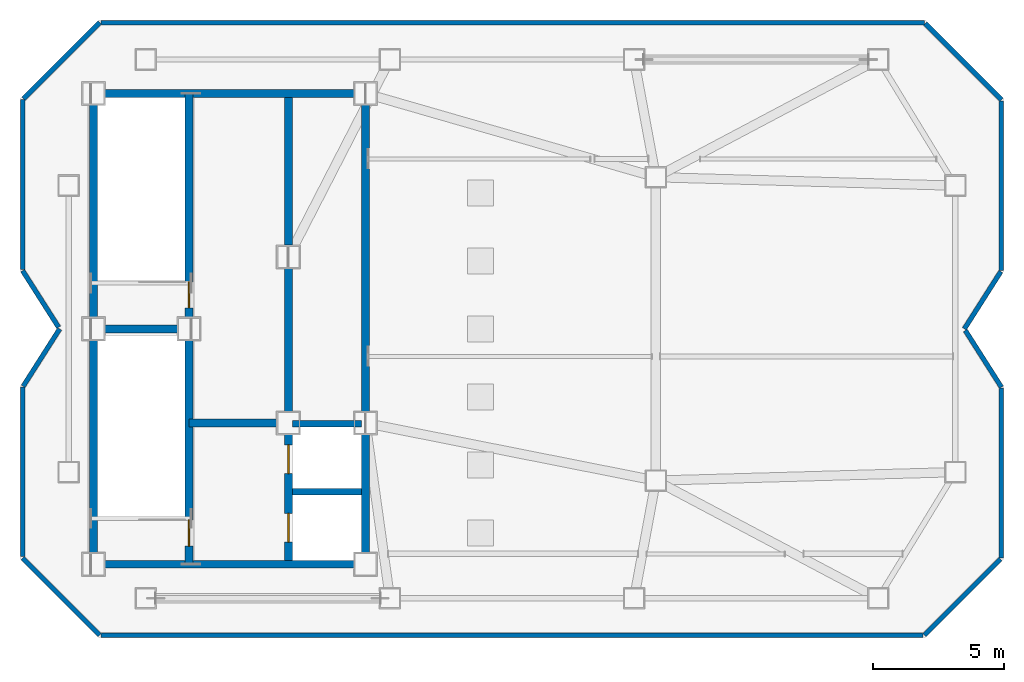
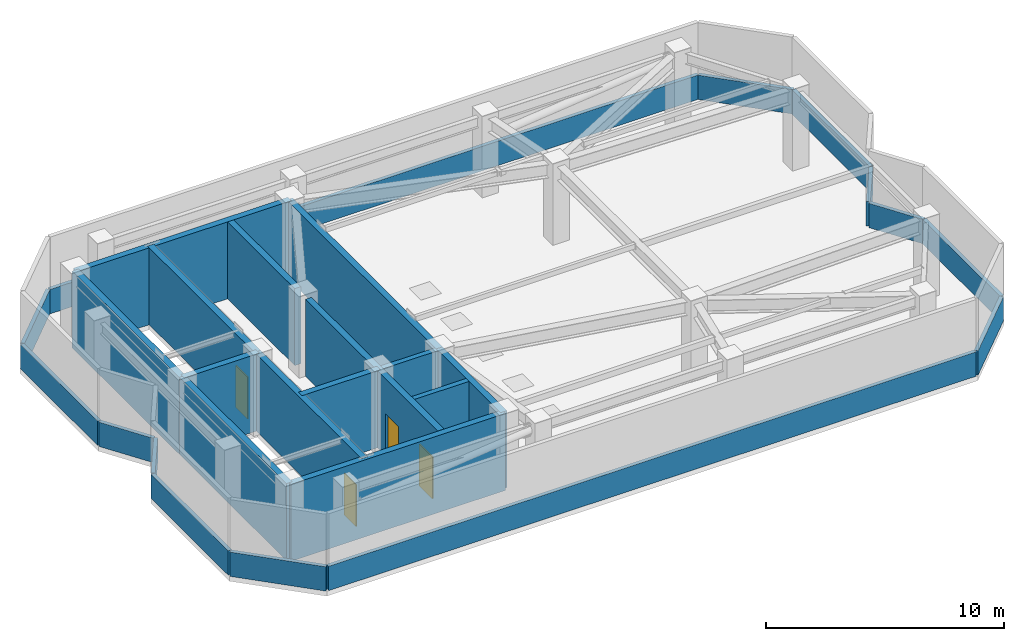
# One storey, part 6 of 7: 28 walls, 4 doors, 4 openings.
"""IFC4 building model written with IfcOpenShell, lengths in metres."""

import ifcopenshell
import ifcopenshell.guid

model = None  # the IFC model being written
_history = None  # IfcOwnerHistory: only IFC2X3 demands one
_inside = {}  # id of a spatial element -> (the spatial element, [elements in it])
_under = {}  # id of a project, library or spatial element -> (it, [spatial elements below it])
_declared = {}  # id of a project -> (the project, [libraries it declares])
_typed = {}  # id of a type object -> (the type object, [elements of that type])
_made_of = {}  # id of a material, layer set ... -> (it, [elements and type objects made of it])


def new_model(schema):
    """Start an empty IFC model of exactly this schema.

    Asked for "IFC4X3", IfcOpenShell would pick the latest addendum, in which some entities
    have other attributes; the version numbers below select the first issue.
    IFC2X3 requires an IfcOwnerHistory on every rooted entity: one is made here for all.
    """
    global model, _history
    if schema == "IFC4X3":
        model = ifcopenshell.file(schema_version=(4, 3, 0, 0))
    else:
        model = ifcopenshell.file(schema=schema)
    _inside.clear()
    _under.clear()
    _declared.clear()
    _typed.clear()
    _made_of.clear()
    _history = None
    if model.schema == "IFC2X3":
        org = make("IfcOrganization", Name="unknown")
        user = make(
            "IfcPersonAndOrganization",
            ThePerson=make("IfcPerson", FamilyName="unknown"),
            TheOrganization=org,
        )
        app = make(
            "IfcApplication",
            ApplicationDeveloper=org,
            Version="unknown",
            ApplicationFullName="unknown",
            ApplicationIdentifier="unknown",
        )
        _history = make(
            "IfcOwnerHistory",
            OwningUser=user,
            OwningApplication=app,
            ChangeAction="ADDED",
            CreationDate=0,
        )
    return model


def make(cls, **values):
    """One entity of the class cls with the attributes given. An attribute that is None is left unset."""
    return model.create_entity(
        cls, **{name: value for name, value in values.items() if value is not None}
    )


def rooted(cls, **values):
    """An entity with a GlobalId (a new one), such as an element, a storey or a relation."""
    return make(cls, GlobalId=ifcopenshell.guid.new(), OwnerHistory=_history, **values)


def si_unit(unit_type, name, prefix=None):
    """IfcSIUnit, for example si_unit("LENGTHUNIT", "METRE", prefix="MILLI")."""
    return make("IfcSIUnit", UnitType=unit_type, Prefix=prefix, Name=name)


def assignment(units):
    """IfcUnitAssignment: the units of a project."""
    return None if units is None else make("IfcUnitAssignment", Units=units)


def point(xyz):
    """IfcCartesianPoint."""
    return None if xyz is None else make("IfcCartesianPoint", Coordinates=xyz)


def direction(xyz):
    """IfcDirection."""
    return None if xyz is None else make("IfcDirection", DirectionRatios=xyz)


def frame(location, z_axis=None, x_axis=None):
    """IfcAxis2Placement3D, a coordinate frame: its origin and axes. An axis left out is left unset."""
    return make(
        "IfcAxis2Placement3D",
        Location=point(location),
        Axis=direction(z_axis),
        RefDirection=direction(x_axis),
    )


def frame_2d(location, x_axis=None):
    """IfcAxis2Placement2D, a coordinate frame in the plane: its origin and x axis."""
    return make(
        "IfcAxis2Placement2D", Location=point(location), RefDirection=direction(x_axis)
    )


def origin():
    """The frame at (0, 0, 0) with its axes left unset."""
    return frame((0.0, 0.0, 0.0))


def place(relative_to, where):
    """IfcLocalPlacement: puts the frame where relative to a parent placement (None: the world)."""
    return make(
        "IfcLocalPlacement", PlacementRelTo=relative_to, RelativePlacement=where
    )


def context(
    kind, dimensions, precision=None, world=None, true_north=None, identifier=None
):
    """IfcGeometricRepresentationContext, for example the 3D "Model" context."""
    return make(
        "IfcGeometricRepresentationContext",
        ContextIdentifier=identifier,
        ContextType=kind,
        CoordinateSpaceDimension=dimensions,
        Precision=precision,
        WorldCoordinateSystem=world,
        TrueNorth=true_north,
    )


def subcontext(parent, identifier, kind, view, scale=None):
    """IfcGeometricRepresentationSubContext, for example "Body" below "Model"."""
    return make(
        "IfcGeometricRepresentationSubContext",
        ContextIdentifier=identifier,
        ContextType=kind,
        ParentContext=parent,
        TargetScale=scale,
        TargetView=view,
    )


def project(units=None, contexts=None):
    """IfcProject with its units and contexts."""
    return rooted(
        "IfcProject",
        Name="project",
        RepresentationContexts=contexts,
        UnitsInContext=assignment(units),
    )


def spatial(cls, under=None, at=None, **own):
    """A site, building, storey or space (cls), placed at a placement, below another one or the project."""
    s = rooted(cls, ObjectPlacement=at, **own)
    if under is not None:
        _under.setdefault(under.id(), (under, []))[1].append(s)
    return s


def profile(cls, at=None, kind="AREA", **sizes):
    """A parametric profile (cls). Its sizes go by their IFC names, for example OverallWidth=200.0."""
    return make(cls, ProfileType=kind, Position=at, **sizes)


def rectangle(**sizes):
    """IfcRectangleProfileDef."""
    return profile("IfcRectangleProfileDef", **sizes)


def extrude(swept, where, along, depth):
    """IfcExtrudedAreaSolid: the profile swept, set in the frame where, extruded along a direction by depth."""
    return make(
        "IfcExtrudedAreaSolid",
        SweptArea=swept,
        Position=where,
        ExtrudedDirection=direction(along),
        Depth=depth,
    )


def shape(context_of_items, identifier, shape_type, items):
    """IfcShapeRepresentation: the items that make up one representation, for example the "Body"."""
    return make(
        "IfcShapeRepresentation",
        ContextOfItems=context_of_items,
        RepresentationIdentifier=identifier,
        RepresentationType=shape_type,
        Items=items,
    )


def material(Name=None, Category=None):
    """IfcMaterial."""
    return make("IfcMaterial", Name=Name, Category=Category)


def layer(
    of_material, thickness, ventilated=None, Name=None, Category=None, Priority=None
):
    """IfcMaterialLayer: one layer of a wall or slab, of a material (None: an air gap)."""
    return make(
        "IfcMaterialLayer",
        Material=of_material,
        LayerThickness=thickness,
        IsVentilated=ventilated,
        Name=Name,
        Category=Category,
        Priority=Priority,
    )


def layer_set(layers, Name=None):
    """IfcMaterialLayerSet."""
    return make("IfcMaterialLayerSet", MaterialLayers=layers, LayerSetName=Name)


def made_of(thing, what):
    """Note that an element or type object is made of a material, layer set ...; save() writes the relation."""
    if what is not None:
        _made_of.setdefault(what.id(), (what, []))[1].append(thing)
    return thing


def type_object(cls, material=None, **own):
    """A type object (cls), such as IfcWallType, which elements share."""
    return made_of(rooted(cls, **own), material)


def element(
    cls,
    number,
    at=None,
    inside=None,
    cuts=None,
    type_object=None,
    material=None,
    context=None,
    identifier="Body",
    shape_type=None,
    held_by="IfcProductDefinitionShape",
    body=None,
    shapes=None,
    **own,
):
    """One element of the class cls, such as IfcWall. Its Tag is "e" and its number.

    at: its placement. inside: the storey or other place that contains it. cuts: it is an
    opening in that element (IfcRelVoidsElement). A single representation is given by context,
    identifier, shape_type and body (its items); several are given by shapes. held_by: the class
    of the entity that holds the representations. save() writes the other relations.
    """
    e = rooted(cls, Tag="e%d" % number, ObjectPlacement=at, **own)
    if body is not None:
        shapes = [shape(context, identifier, shape_type, body)]
    if shapes is not None:
        e.Representation = make(held_by, Representations=shapes)
    if inside is not None:
        _inside.setdefault(inside.id(), (inside, []))[1].append(e)
    if cuts is not None:
        rooted(
            "IfcRelVoidsElement", RelatingBuildingElement=cuts, RelatedOpeningElement=e
        )
    if type_object is not None:
        _typed.setdefault(type_object.id(), (type_object, []))[1].append(e)
    return made_of(e, material)


def fill(opening, filler):
    """IfcRelFillsElement: the door or window that sits in an opening."""
    return rooted(
        "IfcRelFillsElement",
        RelatingOpeningElement=opening,
        RelatedBuildingElement=filler,
    )


def aggregate(whole, parts):
    """IfcRelAggregates: a whole, such as a stair, and the parts it consists of."""
    return rooted("IfcRelAggregates", RelatingObject=whole, RelatedObjects=parts)


def save(model, path):
    """Write the relations noted so far, then the file.

    IfcRelAggregates (storeys below a building ...), IfcRelContainedInSpatialStructure (elements
    in a storey), IfcRelDefinesByType, IfcRelAssociatesMaterial and IfcRelDeclares: one each for
    every whole, place, type object, material and project.
    """
    for whole, parts in _under.values():
        aggregate(whole, parts)
    for where, things in _inside.values():
        rooted(
            "IfcRelContainedInSpatialStructure",
            RelatedElements=things,
            RelatingStructure=where,
        )
    for kind, things in _typed.values():
        rooted("IfcRelDefinesByType", RelatedObjects=things, RelatingType=kind)
    for what, things in _made_of.values():
        rooted("IfcRelAssociatesMaterial", RelatedObjects=things, RelatingMaterial=what)
    for by, libraries in _declared.values():
        rooted("IfcRelDeclares", RelatingContext=by, RelatedDefinitions=libraries)
    model.write(path)


model = new_model("IFC4")

# Units and contexts
model_context = context("Model", 3, precision=1e-05, world=origin(), true_north=direction((0.0, 1.0)))
body_context = subcontext(model_context, "Body", "Model", "MODEL_VIEW")
ifc_project = project(units=[si_unit("LENGTHUNIT", "METRE"), si_unit("AREAUNIT", "SQUARE_METRE"), si_unit("VOLUMEUNIT", "CUBIC_METRE"), si_unit("PLANEANGLEUNIT", "RADIAN"), si_unit("MASSUNIT", "GRAM", prefix="KILO")], contexts=[model_context])

# Site, building, storey
site_placement = place(None, origin())
site = spatial("IfcSite", under=ifc_project, at=site_placement, CompositionType="ELEMENT")
building_placement = place(site_placement, origin())
building = spatial("IfcBuilding", under=site, at=building_placement, Name="Khamvora Tower", CompositionType="ELEMENT")
storey_placement = place(building_placement, frame((0.0, 0.0, 307.85009765625)))
storey = spatial("IfcBuildingStorey", under=building, at=storey_placement, Name="ROOF", CompositionType="ELEMENT", Elevation=307.85009765625)

# Walls
ifc_material_1 = material(Name="Concrete C50/60", Category="concrete")
ifc_layer_1 = layer(ifc_material_1, 0.300048828125)
ifc_layer_set_1 = layer_set([ifc_layer_1], Name="Concrete C50/60")
wall_type_1 = type_object("IfcWallType", Name="WAL-CORE-300", PredefinedType="SHEAR", material=ifc_layer_set_1)
for number, where, z_axis, x_axis, name in (
    (1, (29.0, 19.0, 0.0), (0.0, 0.0, 1.0), (0.0, 1.0, 0.0), "ROOF central core west south wall"),
    (2, (29.0, 28.0, 0.0), (0.0, 0.0, 1.0), (0.0, 1.0, 0.0), "ROOF central core west north wall"),
):
    element("IfcWall", number, at=place(storey_placement, frame(where, z_axis=z_axis, x_axis=x_axis)), inside=storey, type_object=wall_type_1, Name=name, PredefinedType="SHEAR", context=body_context, shape_type="SweptSolid", body=[
        extrude(rectangle(XDim=9.0, YDim=0.300048828125, at=frame_2d((4.5, 0.0))), origin(), (0.0, 0.0, 1.0), 3.949951171875),
    ])
for number, where, z_axis, x_axis, name in (
    (3, (29.0, 19.0, 0.0), (0.0, 0.0, 1.0), (1.0, 0.0, 0.0), "ROOF central core south wall"),
    (4, (29.0, 37.0, 0.0), (0.0, 0.0, 1.0), (1.0, 0.0, 0.0), "ROOF central core north wall"),
):
    element("IfcWall", number, at=place(storey_placement, frame(where, z_axis=z_axis, x_axis=x_axis)), inside=storey, type_object=wall_type_1, Name=name, PredefinedType="SHEAR", context=body_context, shape_type="SweptSolid", body=[
        extrude(rectangle(XDim=10.39990234375, YDim=0.300048828125, at=frame_2d((5.199951171875, 0.0))), origin(), (0.0, 0.0, 1.0), 3.949951171875),
    ])
wall_1_placement = place(storey_placement, frame((39.39990234375, 19.0, 0.0), z_axis=(0.0, 0.0, 1.0), x_axis=(0.0, 1.0, 0.0)))
element("IfcWall", 5, at=wall_1_placement, inside=storey, type_object=wall_type_1, Name="ROOF central core east south wall", PredefinedType="SHEAR", context=body_context, shape_type="SweptSolid", body=[
    extrude(rectangle(XDim=5.39990234375, YDim=0.300048828125, at=frame_2d((2.699951171875, 0.0))), origin(), (0.0, 0.0, 1.0), 3.949951171875),
])
wall_2_placement = place(storey_placement, frame((39.39990234375, 24.39990234375, 0.0), z_axis=(0.0, 0.0, 1.0), x_axis=(0.0, 1.0, 0.0)))
element("IfcWall", 6, at=wall_2_placement, inside=storey, type_object=wall_type_1, Name="ROOF central core east north wall", PredefinedType="SHEAR", context=body_context, shape_type="SweptSolid", body=[
    extrude(rectangle(XDim=12.60009765625, YDim=0.300048828125, at=frame_2d((6.300048828125, 0.0))), origin(), (0.0, 0.0, 1.0), 3.949951171875),
])

# Wall, opening, door
wall_3_placement = place(storey_placement, frame((32.64990234375, 19.0, 0.0), z_axis=(0.0, 0.0, 1.0), x_axis=(0.0, 1.0, 0.0)))
wall_3 = element("IfcWall", 7, at=wall_3_placement, inside=storey, type_object=wall_type_1, Name="ROOF central core stair south spine wall", PredefinedType="SHEAR", context=body_context, shape_type="SweptSolid", body=[
    extrude(rectangle(XDim=9.0, YDim=0.300048828125, at=frame_2d((4.5, 0.0))), origin(), (0.0, 0.0, 1.0), 3.949951171875),
])
opening_1_placement = place(wall_3_placement, frame((0.699951171875, 0.0, 0.0)))
opening_1 = element("IfcOpeningElement", 8, at=opening_1_placement, cuts=wall_3, Name="Opening D-ST1", PredefinedType="OPENING", context=body_context, shape_type="SweptSolid", body=[
    extrude(rectangle(XDim=1.0, YDim=2.14990234375, at=frame_2d((0.5, 1.074951171875))), frame((0.0, 0.159912109375, 0.0), z_axis=(0.0, -1.0, 0.0), x_axis=(1.0, 0.0, 0.0)), (0.0, 0.0, 1.0), 0.320068359375),
])
ifc_material_2 = material(Name="Powder-Coated Steel and Hardwood Leaf", Category="steel")
door_type_1 = type_object("IfcDoorType", Name="DOR-STAIR-1000", OperationType="NOTDEFINED", PredefinedType="DOOR", material=ifc_material_2)
door_1_placement = place(opening_1_placement, origin())
door_1 = element("IfcDoor", 9, at=door_1_placement, inside=storey, type_object=door_type_1, Name="ROOF exit stair ST-01 fire door", OperationType="SINGLE_SWING_RIGHT", OverallHeight=2.14990234375, OverallWidth=1.0, PredefinedType="DOOR", context=body_context, shape_type="SweptSolid", body=[
    extrude(rectangle(XDim=1.0, YDim=2.14990234375, at=frame_2d((0.5, 1.074951171875))), frame((0.0, 0.02490234375, 0.0), z_axis=(0.0, -1.0, 0.0), x_axis=(1.0, 0.0, 0.0)), (0.0, 0.0, 1.0), 0.050048828125),
])
fill(opening_1, door_1)

wall_4_placement = place(storey_placement, frame((32.64990234375, 28.0, 0.0), z_axis=(0.0, 0.0, 1.0), x_axis=(0.0, 1.0, 0.0)))
wall_4 = element("IfcWall", 10, at=wall_4_placement, inside=storey, type_object=wall_type_1, Name="ROOF central core stair north spine wall", PredefinedType="SHEAR", context=body_context, shape_type="SweptSolid", body=[
    extrude(rectangle(XDim=9.0, YDim=0.300048828125, at=frame_2d((4.5, 0.0))), origin(), (0.0, 0.0, 1.0), 3.949951171875),
])
opening_2_placement = place(wall_4_placement, frame((0.800048828125, 0.0, 0.0)))
opening_2 = element("IfcOpeningElement", 11, at=opening_2_placement, cuts=wall_4, Name="Opening D-ST1", PredefinedType="OPENING", context=body_context, shape_type="SweptSolid", body=[
    extrude(rectangle(XDim=1.0, YDim=2.14990234375, at=frame_2d((0.5, 1.074951171875))), frame((0.0, 0.159912109375, 0.0), z_axis=(0.0, -1.0, 0.0), x_axis=(1.0, 0.0, 0.0)), (0.0, 0.0, 1.0), 0.320068359375),
])
door_2_placement = place(opening_2_placement, origin())
door_2 = element("IfcDoor", 12, at=door_2_placement, inside=storey, type_object=door_type_1, Name="ROOF exit stair ST-02 fire door", OperationType="SINGLE_SWING_RIGHT", OverallHeight=2.14990234375, OverallWidth=1.0, PredefinedType="DOOR", context=body_context, shape_type="SweptSolid", body=[
    extrude(rectangle(XDim=1.0, YDim=2.14990234375, at=frame_2d((0.5, 1.074951171875))), frame((0.0, 0.02490234375, 0.0), z_axis=(0.0, -1.0, 0.0), x_axis=(1.0, 0.0, 0.0)), (0.0, 0.0, 1.0), 0.050048828125),
])
fill(opening_2, door_2)

# Walls
wall_5_placement = place(storey_placement, frame((29.0, 28.0, 0.0), z_axis=(0.0, 0.0, 1.0), x_axis=(1.0, 0.0, 0.0)))
element("IfcWall", 13, at=wall_5_placement, inside=storey, type_object=wall_type_1, Name="ROOF central core stair cross wall", PredefinedType="SHEAR", context=body_context, shape_type="SweptSolid", body=[
    extrude(rectangle(XDim=3.64990234375, YDim=0.300048828125, at=frame_2d((1.824951171875, 0.0))), origin(), (0.0, 0.0, 1.0), 3.949951171875),
])
wall_6_placement = place(storey_placement, frame((32.64990234375, 24.39990234375, 0.0), z_axis=(0.0, 0.0, 1.0), x_axis=(1.0, 0.0, 0.0)))
element("IfcWall", 14, at=wall_6_placement, inside=storey, type_object=wall_type_1, Name="ROOF central core firefighting lobby north wall", PredefinedType="SHEAR", context=body_context, shape_type="SweptSolid", body=[
    extrude(rectangle(XDim=3.800048828125, YDim=0.300048828125, at=frame_2d((1.89990234375, 0.0))), origin(), (0.0, 0.0, 1.0), 3.949951171875),
])

# Wall, openings, doors
wall_7_placement = place(storey_placement, frame((36.449951171875, 19.154052734375, 0.0), z_axis=(0.0, 0.0, 1.0), x_axis=(0.0, 1.0, 0.0)))
wall_7 = element("IfcWall", 15, at=wall_7_placement, inside=storey, type_object=wall_type_1, Name="ROOF central core lift bank south wall", PredefinedType="SHEAR", context=body_context, shape_type="SweptSolid", body=[
    extrude(rectangle(XDim=11.14599609375, YDim=0.300048828125, at=frame_2d((5.572998046875, 0.0))), origin(), (0.0, 0.0, 1.0), 3.949951171875),
])
opening_3_placement = place(wall_7_placement, frame((0.696044921875, 0.0, 0.0)))
opening_3 = element("IfcOpeningElement", 16, at=opening_3_placement, cuts=wall_7, Name="Opening LD-FFL", PredefinedType="OPENING", context=body_context, shape_type="SweptSolid", body=[
    extrude(rectangle(XDim=1.10009765625, YDim=2.14990234375, at=frame_2d((0.550048828125, 1.074951171875))), frame((0.0, 0.159912109375, 0.0), z_axis=(0.0, -1.0, 0.0), x_axis=(1.0, 0.0, 0.0)), (0.0, 0.0, 1.0), 0.320068359375),
])
opening_4_placement = place(wall_7_placement, frame((3.31591796875, 0.0, 0.0)))
opening_4 = element("IfcOpeningElement", 17, at=opening_4_placement, cuts=wall_7, Name="Opening LD-FFL", PredefinedType="OPENING", context=body_context, shape_type="SweptSolid", body=[
    extrude(rectangle(XDim=1.10009765625, YDim=2.14990234375, at=frame_2d((0.550048828125, 1.074951171875))), frame((0.0, 0.159912109375, 0.0), z_axis=(0.0, -1.0, 0.0), x_axis=(1.0, 0.0, 0.0)), (0.0, 0.0, 1.0), 0.320068359375),
])
door_type_2 = type_object("IfcDoorType", Name="DOR-LIFT-1100", OperationType="SLIDING_TO_LEFT", PredefinedType="DOOR", material=ifc_material_2)
door_3_placement = place(opening_3_placement, origin())
door_3 = element("IfcDoor", 18, at=door_3_placement, inside=storey, type_object=door_type_2, Name="ROOF lift landing sliding door FFL-01", OperationType="SLIDING_TO_LEFT", OverallHeight=2.14990234375, OverallWidth=1.10009765625, PredefinedType="DOOR", context=body_context, shape_type="SweptSolid", body=[
    extrude(rectangle(XDim=1.10009765625, YDim=2.14990234375, at=frame_2d((0.550048828125, 1.074951171875))), frame((0.0, 0.02490234375, 0.0), z_axis=(0.0, -1.0, 0.0), x_axis=(1.0, 0.0, 0.0)), (0.0, 0.0, 1.0), 0.050048828125),
])
fill(opening_3, door_3)
door_4_placement = place(opening_4_placement, origin())
door_4 = element("IfcDoor", 19, at=door_4_placement, inside=storey, type_object=door_type_2, Name="ROOF lift landing sliding door FFL-02", OperationType="SLIDING_TO_LEFT", OverallHeight=2.14990234375, OverallWidth=1.10009765625, PredefinedType="DOOR", context=body_context, shape_type="SweptSolid", body=[
    extrude(rectangle(XDim=1.10009765625, YDim=2.14990234375, at=frame_2d((0.550048828125, 1.074951171875))), frame((0.0, 0.02490234375, 0.0), z_axis=(0.0, -1.0, 0.0), x_axis=(1.0, 0.0, 0.0)), (0.0, 0.0, 1.0), 0.050048828125),
])
fill(opening_4, door_4)

# Walls
wall_8_placement = place(storey_placement, frame((36.449951171875, 31.199951171875, 0.0), z_axis=(0.0, 0.0, 1.0), x_axis=(0.0, 1.0, 0.0)))
element("IfcWall", 20, at=wall_8_placement, inside=storey, type_object=wall_type_1, Name="ROOF central core lift bank central wall", PredefinedType="SHEAR", context=body_context, shape_type="SweptSolid", body=[
    extrude(rectangle(XDim=5.64599609375, YDim=0.300048828125, at=frame_2d((2.822998046875, 0.0))), origin(), (0.0, 0.0, 1.0), 3.949951171875),
])
ifc_material_3 = material(Name="Precast concrete C40/50", Category="concrete")
ifc_layer_2 = layer(ifc_material_3, 0.179931640625)
ifc_layer_set_2 = layer_set([ifc_layer_2], Name="Precast concrete C40/50")
wall_type_2 = type_object("IfcWallType", Name="WAL-PAR-180", PredefinedType="PARAPET", material=ifc_layer_set_2)
wall_9_placement = place(storey_placement, frame((29.237060546875, 16.2900390625, 0.0), z_axis=(0.0, 0.0, 1.0), x_axis=(-0.707106781187, 0.707106781187, 0.0)))
element("IfcWall", 21, at=wall_9_placement, inside=storey, type_object=wall_type_2, Name="ROOF perimeter parapet wall 01.1", PredefinedType="PARAPET", context=body_context, shape_type="SweptSolid", body=[
    extrude(rectangle(XDim=4.167724609375, YDim=0.179931640625, at=frame_2d((2.083984375, 0.0))), origin(), (0.0, 0.0, 1.0), 1.25),
])
wall_10_placement = place(storey_placement, frame((26.2900390625, 19.29296875, 0.0), z_axis=(0.0, 0.0, 1.0), x_axis=(0.0, 1.0, 0.0)))
element("IfcWall", 22, at=wall_10_placement, inside=storey, type_object=wall_type_2, Name="ROOF perimeter parapet wall 02.1", PredefinedType="PARAPET", context=body_context, shape_type="SweptSolid", body=[
    extrude(rectangle(XDim=6.48095703125, YDim=0.179931640625, at=frame_2d((3.240478515625, 0.0))), origin(), (0.0, 0.0, 1.0), 1.25),
])
wall_11_placement = place(storey_placement, frame((26.31103515625, 25.806884765625, 0.0), z_axis=(0.0, 0.0, 1.0), x_axis=(0.53697878944, 0.843595744235, 0.0)))
element("IfcWall", 23, at=wall_11_placement, inside=storey, type_object=wall_type_2, Name="ROOF perimeter parapet wall 03.1", PredefinedType="PARAPET", context=body_context, shape_type="SweptSolid", body=[
    extrude(rectangle(XDim=2.599609375, YDim=0.179931640625, at=frame_2d((1.2998046875, 0.0))), origin(), (0.0, 0.0, 1.0), 1.25),
])
wall_12_placement = place(storey_placement, frame((27.66796875, 28.06103515625, 0.0), z_axis=(0.0, 0.0, 1.0), x_axis=(-0.536924736054, 0.843630148711, 0.0)))
element("IfcWall", 24, at=wall_12_placement, inside=storey, type_object=wall_type_2, Name="ROOF perimeter parapet wall 04.1", PredefinedType="PARAPET", context=body_context, shape_type="SweptSolid", body=[
    extrude(rectangle(XDim=2.56640625, YDim=0.179931640625, at=frame_2d((1.283203125, 0.0))), origin(), (0.0, 0.0, 1.0), 1.25),
])
wall_13_placement = place(storey_placement, frame((26.2900390625, 30.264892578125, 0.0), z_axis=(0.0, 0.0, 1.0), x_axis=(0.0, 1.0, 0.0)))
element("IfcWall", 25, at=wall_13_placement, inside=storey, type_object=wall_type_2, Name="ROOF perimeter parapet wall 05.1", PredefinedType="PARAPET", context=body_context, shape_type="SweptSolid", body=[
    extrude(rectangle(XDim=6.498046875, YDim=0.179931640625, at=frame_2d((3.2490234375, 0.0))), origin(), (0.0, 0.0, 1.0), 1.25),
])
wall_14_placement = place(storey_placement, frame((26.3291015625, 36.802001953125, 0.0), z_axis=(0.0, 0.0, 1.0), x_axis=(0.707106781187, 0.707106781187, 0.0)))
element("IfcWall", 26, at=wall_14_placement, inside=storey, type_object=wall_type_2, Name="ROOF perimeter parapet wall 06.1", PredefinedType="PARAPET", context=body_context, shape_type="SweptSolid", body=[
    extrude(rectangle(XDim=4.112548828125, YDim=0.179931640625, at=frame_2d((2.05615234375, 0.0))), origin(), (0.0, 0.0, 1.0), 1.25),
])
wall_15_placement = place(storey_placement, frame((29.29296875, 39.7099609375, 0.0), z_axis=(0.0, 0.0, 1.0), x_axis=(1.0, 0.0, 0.0)))
element("IfcWall", 27, at=wall_15_placement, inside=storey, type_object=wall_type_2, Name="ROOF perimeter parapet wall 07.1", PredefinedType="PARAPET", context=body_context, shape_type="SweptSolid", body=[
    extrude(rectangle(XDim=31.469970703125, YDim=0.179931640625, at=frame_2d((15.73486328125, 0.0))), origin(), (0.0, 0.0, 1.0), 1.25),
])
wall_16_placement = place(storey_placement, frame((60.801025390625, 39.672119140625, 0.0), z_axis=(0.0, 0.0, 1.0), x_axis=(0.707077108843, -0.707136452285, 0.0)))
element("IfcWall", 28, at=wall_16_placement, inside=storey, type_object=wall_type_2, Name="ROOF perimeter parapet wall 08.1", PredefinedType="PARAPET", context=body_context, shape_type="SweptSolid", body=[
    extrude(rectangle(XDim=4.114013671875, YDim=0.179931640625, at=frame_2d((2.05712890625, 0.0))), origin(), (0.0, 0.0, 1.0), 1.25),
])
wall_17_placement = place(storey_placement, frame((63.7099609375, 36.7060546875, 0.0), z_axis=(0.0, 0.0, 1.0), x_axis=(0.0, -1.0, 0.0)))
element("IfcWall", 29, at=wall_17_placement, inside=storey, type_object=wall_type_2, Name="ROOF perimeter parapet wall 09.1", PredefinedType="PARAPET", context=body_context, shape_type="SweptSolid", body=[
    extrude(rectangle(XDim=6.47998046875, YDim=0.179931640625, at=frame_2d((3.239990234375, 0.0))), origin(), (0.0, 0.0, 1.0), 1.25),
])
wall_18_placement = place(storey_placement, frame((63.68896484375, 30.19189453125, 0.0), z_axis=(0.0, 0.0, 1.0), x_axis=(-0.53719156007, -0.843460270428, 0.0)))
element("IfcWall", 30, at=wall_18_placement, inside=storey, type_object=wall_type_2, Name="ROOF perimeter parapet wall 10.1", PredefinedType="PARAPET", context=body_context, shape_type="SweptSolid", body=[
    extrude(rectangle(XDim=2.5986328125, YDim=0.179931640625, at=frame_2d((1.29931640625, 0.0))), origin(), (0.0, 0.0, 1.0), 1.25),
])
wall_19_placement = place(storey_placement, frame((62.33203125, 27.93896484375, 0.0), z_axis=(0.0, 0.0, 1.0), x_axis=(0.536924736054, -0.843630148711, 0.0)))
element("IfcWall", 31, at=wall_19_placement, inside=storey, type_object=wall_type_2, Name="ROOF perimeter parapet wall 11.1", PredefinedType="PARAPET", context=body_context, shape_type="SweptSolid", body=[
    extrude(rectangle(XDim=2.56640625, YDim=0.179931640625, at=frame_2d((1.283203125, 0.0))), origin(), (0.0, 0.0, 1.0), 1.25),
])
wall_20_placement = place(storey_placement, frame((63.7099609375, 25.73388671875, 0.0), z_axis=(0.0, 0.0, 1.0), x_axis=(0.0, -1.0, 0.0)))
element("IfcWall", 32, at=wall_20_placement, inside=storey, type_object=wall_type_2, Name="ROOF perimeter parapet wall 12.1", PredefinedType="PARAPET", context=body_context, shape_type="SweptSolid", body=[
    extrude(rectangle(XDim=6.496826171875, YDim=0.179931640625, at=frame_2d((3.24853515625, 0.0))), origin(), (0.0, 0.0, 1.0), 1.25),
])
wall_21_placement = place(storey_placement, frame((63.672119140625, 19.198974609375, 0.0), z_axis=(0.0, 0.0, 1.0), x_axis=(-0.707136452285, -0.707077108843, 0.0)))
element("IfcWall", 33, at=wall_21_placement, inside=storey, type_object=wall_type_2, Name="ROOF perimeter parapet wall 13.1", PredefinedType="PARAPET", context=body_context, shape_type="SweptSolid", body=[
    extrude(rectangle(XDim=4.114013671875, YDim=0.179931640625, at=frame_2d((2.05712890625, 0.0))), origin(), (0.0, 0.0, 1.0), 1.25),
])
wall_22_placement = place(storey_placement, frame((60.7060546875, 16.2900390625, 0.0), z_axis=(0.0, 0.0, 1.0), x_axis=(-1.0, 0.0, 0.0)))
element("IfcWall", 34, at=wall_22_placement, inside=storey, type_object=wall_type_2, Name="ROOF perimeter parapet wall 14.1", PredefinedType="PARAPET", context=body_context, shape_type="SweptSolid", body=[
    extrude(rectangle(XDim=31.4150390625, YDim=0.179931640625, at=frame_2d((15.70751953125, 0.0))), origin(), (0.0, 0.0, 1.0), 1.25),
])
ifc_material_4 = material(Name="Concrete C40/50", Category="concrete")
ifc_layer_3 = layer(ifc_material_4, 0.25)
ifc_layer_set_3 = layer_set([ifc_layer_3], Name="Concrete C40/50")
wall_type_3 = type_object("IfcWallType", Name="WAL-PODS-250", PredefinedType="SHEAR", material=ifc_layer_set_3)
for number, where, z_axis, x_axis, name in (
    (35, (36.60400390625, 21.77490234375, 0.0), (0.0, 0.0, 1.0), (1.0, 0.0, 0.0), "ROOF lift shaft divider wall FFL-01"),
    (36, (36.60400390625, 24.375, 0.0), (0.0, 0.0, 1.0), (1.0, 0.0, 0.0), "ROOF lift shaft divider wall FFL-02"),
):
    element("IfcWall", number, at=place(storey_placement, frame(where, z_axis=z_axis, x_axis=x_axis)), inside=storey, type_object=wall_type_3, Name=name, PredefinedType="SHEAR", context=body_context, shape_type="SweptSolid", body=[
        extrude(rectangle(XDim=2.64208984375, YDim=0.25, at=frame_2d((1.321044921875, 0.0))), origin(), (0.0, 0.0, 1.0), 3.949951171875),
    ])

save(model, "model.ifc")
